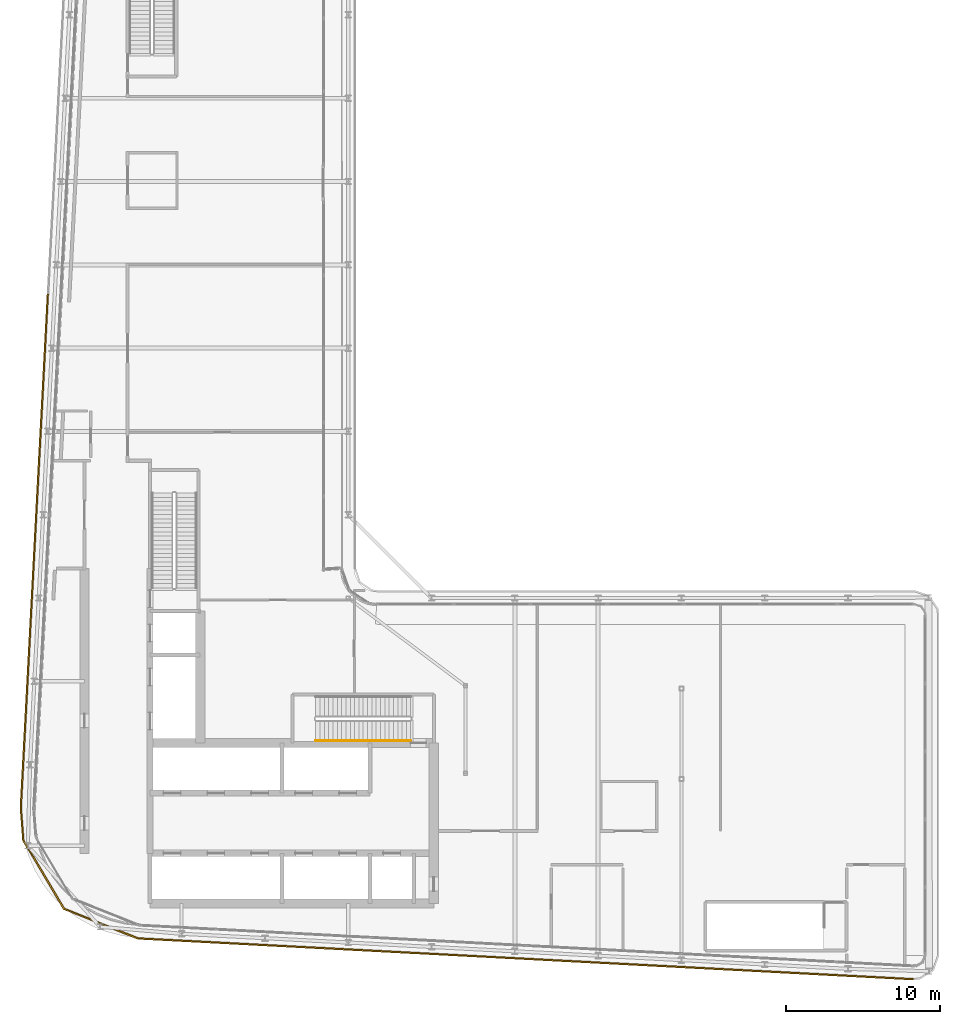
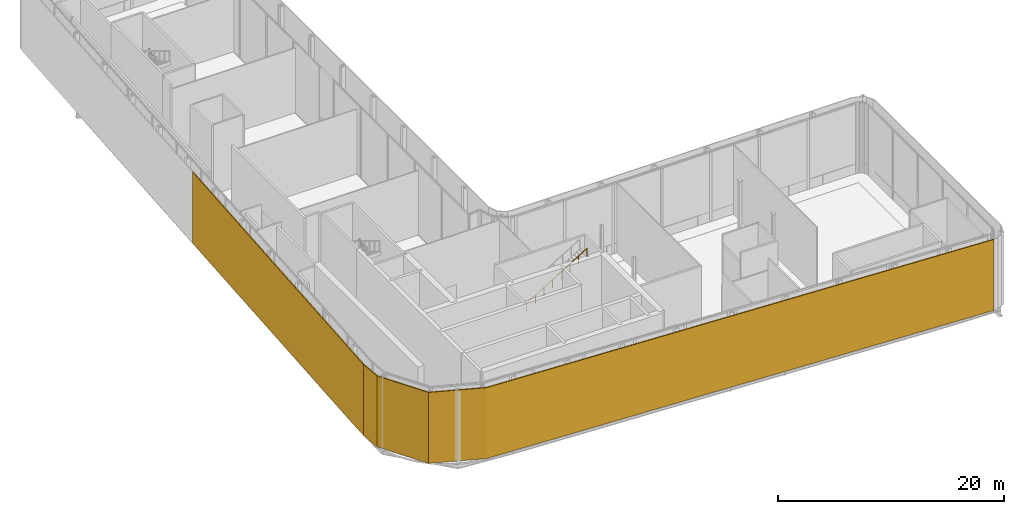
# One storey, part 23 of 27: 2 shading devices, 1 railing.
"""IFC4 building model written with IfcOpenShell, lengths in metres."""

from ifc_helpers import new_model, si_unit, direction, frame, origin, origin_2d, place, context, subcontext, project, spatial, polyline, rectangle, circle, outline, extrude, material, layer, layer_set, type_object, element, save


model = new_model("IFC4")

# Units and contexts
model_context = context("Model", 3, precision=1e-05, world=origin(), true_north=direction((0.0, 1.0)))
body_context = subcontext(model_context, "Body", "Model", "MODEL_VIEW")
ifc_project = project(units=[si_unit("LENGTHUNIT", "METRE"), si_unit("AREAUNIT", "SQUARE_METRE"), si_unit("VOLUMEUNIT", "CUBIC_METRE"), si_unit("PLANEANGLEUNIT", "RADIAN"), si_unit("MASSUNIT", "GRAM", prefix="KILO")], contexts=[model_context])

# Site, building, storey
site_placement = place(None, origin())
site = spatial("IfcSite", under=ifc_project, at=site_placement, CompositionType="ELEMENT")
building_placement = place(site_placement, origin())
building = spatial("IfcBuilding", under=site, at=building_placement, Name="Kheshtan School and Residences Tower", CompositionType="ELEMENT")
storey_placement = place(building_placement, frame((0.0, 0.0, 266.89990234375)))
storey = spatial("IfcBuildingStorey", under=building, at=storey_placement, Name="L63", CompositionType="ELEMENT", Elevation=266.89990234375)

# Shading devices
ifc_material_1 = material(Name="Terracotta baguette, extruded ceramic", Category="masonry")
ifc_layer = layer(ifc_material_1, 0.10009765625)
ifc_layer_set = layer_set([ifc_layer], Name="Ledge screen, terracotta baguettes")
shading_device_type = type_object("IfcShadingDeviceType", Name="Ledge screen, terracotta baguettes", PredefinedType="USERDEFINED", material=ifc_layer_set)
shading_device_1_placement = place(storey_placement, origin())
element("IfcShadingDevice", 1, at=shading_device_1_placement, inside=storey, type_object=shading_device_type, Name="Screen L63 5", ObjectType="BAGUETTE", PredefinedType="USERDEFINED", context=body_context, shape_type="SweptSolid", body=[
    extrude(outline(polyline([(84.220947265625, 20.93603515625), (33.989013671875, 23.580078125), (29.2119140625, 25.486083984375), (26.583984375, 29.906982421875), (26.419921875, 31.989013671875), (26.320068359375, 31.98095703125), (26.486083984375, 29.8759765625), (29.14306640625, 25.406005859375), (33.967041015625, 23.48095703125), (84.216064453125, 20.8359375), (84.220947265625, 20.93603515625)])), origin(), (0.0, 0.0, 1.0), 7.650146484375),
])
shading_device_2_placement = place(storey_placement, frame((27.24609375, 48.638916015625, 0.000244140625), z_axis=(0.0, 0.0, 1.0), x_axis=(0.052562536748, 0.998617634398, 0.0)))
element("IfcShadingDevice", 2, at=shading_device_2_placement, inside=storey, type_object=shading_device_type, Name="Screen L63 6", ObjectType="BAGUETTE", PredefinedType="USERDEFINED", context=body_context, shape_type="SweptSolid", body=[
    extrude(rectangle(XDim=33.341064453125, YDim=0.10009765625, at=origin_2d()), origin(), (0.0, 0.0, 1.0), 7.64990234375),
])

# Railing
ifc_material_2 = material(Name="Stainless steel handrail", Category="steel")
railing_type = type_object("IfcRailingType", Name="Stair handrail 900", PredefinedType="HANDRAIL", material=ifc_material_2)
railing_placement = place(storey_placement, frame((45.489990234375, 36.35009765625, 4.069580078125)))
element("IfcRailing", 3, at=railing_placement, inside=storey, type_object=railing_type, Name="L63 ST1 stair handrail 2", PredefinedType="HANDRAIL", context=body_context, shape_type="SweptSolid", body=[
    extrude(circle(Radius=0.02392578125, at=origin_2d()), frame((0.0, 0.0, 0.8759765625), z_axis=(0.855370820849, 0.0, 0.518016176234), x_axis=(0.0, 1.0, 0.0)), (0.0, 0.0, 1.0), 7.201416015625),
    extrude(circle(Radius=0.02099609375, at=origin_2d()), origin(), (0.0, 0.0, 1.0), 0.851806640625),
    extrude(circle(Radius=0.02099609375, at=origin_2d()), frame((0.8798828125, 0.0, 0.532958984375)), (0.0, 0.0, 1.0), 0.851806640625),
    extrude(circle(Radius=0.02099609375, at=origin_2d()), frame((1.760009765625, 0.0, 1.06591796875)), (0.0, 0.0, 1.0), 0.851806640625),
    extrude(circle(Radius=0.02099609375, at=origin_2d()), frame((2.639892578125, 0.0, 1.598876953125)), (0.0, 0.0, 1.0), 0.851806640625),
    extrude(circle(Radius=0.02099609375, at=origin_2d()), frame((3.52001953125, 0.0, 2.131591796875)), (0.0, 0.0, 1.0), 0.851806640625),
    extrude(circle(Radius=0.02099609375, at=origin_2d()), frame((4.39990234375, 0.0, 2.66455078125)), (0.0, 0.0, 1.0), 0.851806640625),
    extrude(circle(Radius=0.02099609375, at=origin_2d()), frame((5.280029296875, 0.0, 3.197509765625)), (0.0, 0.0, 1.0), 0.851806640625),
    extrude(circle(Radius=0.02099609375, at=origin_2d()), frame((6.159912109375, 0.0, 3.73046875)), (0.0, 0.0, 1.0), 0.851806640625),
])

save(model, "model.ifc")
